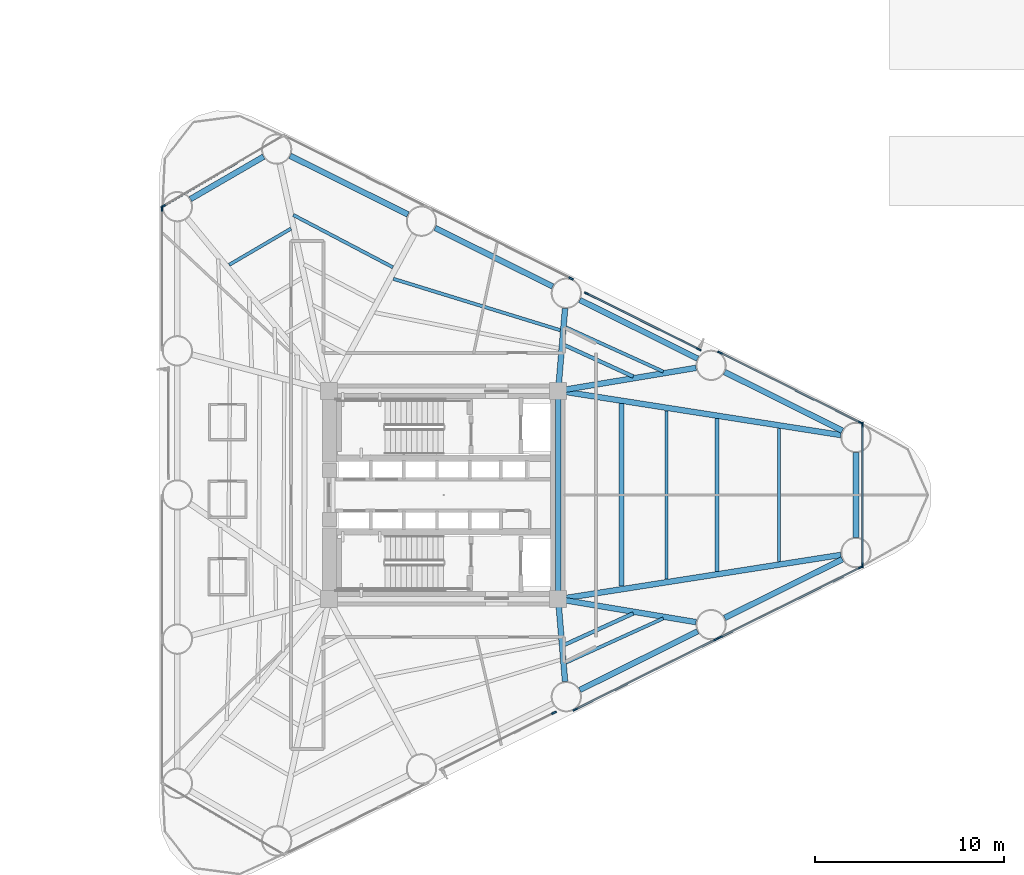
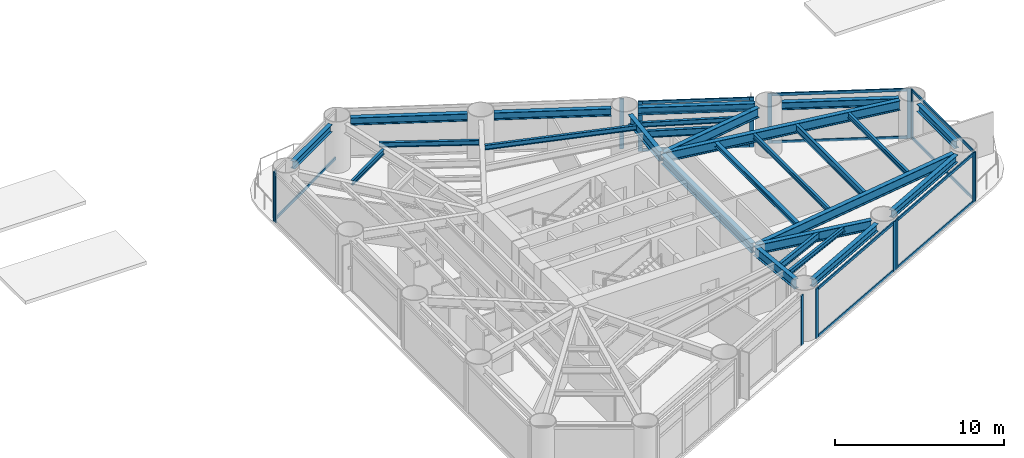
# One storey, part 3 of 10: 26 beams, 26 members, 9 elements without a shape of their own.
"""IFC4 building model written with IfcOpenShell, lengths in metres."""

from ifc_helpers import new_model, si_unit, direction, frame, origin, origin_2d, place, context, subcontext, project, spatial, rectangle, i_section, extrude, source, transform, mapped, material, layer, layer_set, material_profile, profile_set, type_object, element, aggregate, save


model = new_model("IFC4")

# Units and contexts
model_context = context("Model", 3, precision=1e-05, world=origin(), true_north=direction((0.0, 1.0)))
body_context = subcontext(model_context, "Body", "Model", "MODEL_VIEW")
ifc_project = project(units=[si_unit("LENGTHUNIT", "METRE"), si_unit("AREAUNIT", "SQUARE_METRE"), si_unit("VOLUMEUNIT", "CUBIC_METRE"), si_unit("PLANEANGLEUNIT", "RADIAN"), si_unit("MASSUNIT", "GRAM", prefix="KILO")], contexts=[model_context])

# Site, building, storey
site_placement = place(None, origin())
site = spatial("IfcSite", under=ifc_project, at=site_placement, CompositionType="ELEMENT")
building_placement = place(site_placement, origin())
building = spatial("IfcBuilding", under=site, at=building_placement, Name="Yunling Apex Tower", CompositionType="ELEMENT")
storey_placement = place(building_placement, frame((0.0, 0.0, 23.800048828125)))
storey = spatial("IfcBuildingStorey", under=building, at=storey_placement, Name="L07", CompositionType="ELEMENT", Elevation=23.800048828125)

# Beams
ifc_material_1 = material(Name="Steel Q355B", Category="steel")
ifc_material_profile_1 = material_profile(ifc_material_1, i_section(OverallWidth=0.300048828125, OverallDepth=0.699951171875, WebThickness=0.012939453125, FlangeThickness=0.02392578125, FilletRadius=0.02587890625, at=origin_2d()))
ifc_profile_set_1 = profile_set([ifc_material_profile_1], Name="Steel Q355B")
beam_type_1 = type_object("IfcBeamType", Name="BG-PRI-3", PredefinedType="USERDEFINED", material=ifc_profile_set_1)
shared_shape_1 = source(origin(), body_context, "Body", "SweptSolid", [
    extrude(i_section(OverallWidth=0.300048828125, OverallDepth=0.699951171875, WebThickness=0.012939453125, FlangeThickness=0.02392578125, FilletRadius=0.02587890625, at=origin_2d()), origin(), (0.0, 0.0, 1.0), 10.7001953125),
])
beam_1_placement = place(storey_placement, frame((6.050048828125, -5.35009765625, 3.1650390625), z_axis=(0.0, 1.0, 0.0), x_axis=(-1.0, 0.0, 0.0)))
element("IfcBeam", 1, at=beam_1_placement, inside=storey, type_object=beam_type_1, Name="L07 Core Ring Tie Beam 2", ObjectType="GIRDER", PredefinedType="USERDEFINED", context=body_context, shape_type="MappedRepresentation", body=[
    mapped(shared_shape_1, transform((0.0, 0.0, 0.0), scale=1.0)),
])
ifc_material_profile_2 = material_profile(ifc_material_1, i_section(OverallWidth=0.300048828125, OverallDepth=0.5400390625, WebThickness=0.011962890625, FlangeThickness=0.02001953125, FilletRadius=0.02392578125, at=origin_2d()))
ifc_profile_set_2 = profile_set([ifc_material_profile_2], Name="Steel Q355B")
beam_type_2 = type_object("IfcBeamType", Name="BP-SPN-1", PredefinedType="SPANDREL", material=ifc_profile_set_2)
shared_shape_2 = source(origin(), body_context, "Body", "SweptSolid", [
    extrude(i_section(OverallWidth=0.300048828125, OverallDepth=0.5400390625, WebThickness=0.011962890625, FlangeThickness=0.02001953125, FilletRadius=0.02392578125, at=origin_2d()), origin(), (0.0, 0.0, 1.0), 6.950927734375),
])
for number, where, z_axis, x_axis, name in (
    (2, (14.83251953125, -6.48974609375, 3.244873046875), (0.895247556401, 0.445569088646, 0.0), (-0.445569088646, 0.895247556401, 0.0), "L07 Perimeter Spandrel Beam 4"),
    (3, (21.055419921875, 3.392578125, 3.244873046875), (-0.895247556401, 0.445569088646, 0.0), (-0.445569088646, -0.895247556401, 0.0), "L07 Perimeter Spandrel Beam 6"),
    (4, (5.7666015625, 11.002197265625, 3.244873046875), (-0.895247556401, 0.445569088646, 0.0), (-0.445569088646, -0.895247556401, 0.0), "L07 Perimeter Spandrel Beam 8"),
    (5, (-1.8779296875, 14.806884765625, 3.244873046875), (-0.89524058306, 0.445583099368, 0.0), (-0.445583099368, -0.89524058306, 0.0), "L07 Perimeter Spandrel Beam 9"),
):
    element("IfcBeam", number, at=place(storey_placement, frame(where, z_axis=z_axis, x_axis=x_axis)), inside=storey, type_object=beam_type_2, Name=name, PredefinedType="SPANDREL", context=body_context, shape_type="MappedRepresentation", body=[
        mapped(shared_shape_2, transform((0.0, 0.0, 0.0), scale=1.0)),
    ])
shared_shape_3 = source(origin(), body_context, "Body", "SweptSolid", [
    extrude(i_section(OverallWidth=0.300048828125, OverallDepth=0.5400390625, WebThickness=0.011962890625, FlangeThickness=0.02001953125, FilletRadius=0.02392578125, at=origin_2d()), origin(), (0.0, 0.0, 1.0), 6.95068359375),
])
for number, where, z_axis, x_axis, name in (
    (6, (7.188232421875, -10.29443359375, 3.244873046875), (0.895254593944, 0.445554948375, 0.0), (-0.445554948375, 0.895254593944, 0.0), "L07 Perimeter Spandrel Beam 3"),
    (7, (13.410888671875, 7.197509765625, 3.244873046875), (-0.895254593944, 0.445554948375, 0.0), (-0.445554948375, -0.895254593944, 0.0), "L07 Perimeter Spandrel Beam 7"),
):
    element("IfcBeam", number, at=place(storey_placement, frame(where, z_axis=z_axis, x_axis=x_axis)), inside=storey, type_object=beam_type_2, Name=name, PredefinedType="SPANDREL", context=body_context, shape_type="MappedRepresentation", body=[
        mapped(shared_shape_3, transform((0.0, 0.0, 0.0), scale=1.0)),
    ])
shared_shape_4 = source(origin(), body_context, "Body", "SweptSolid", [
    extrude(i_section(OverallWidth=0.300048828125, OverallDepth=0.5400390625, WebThickness=0.011962890625, FlangeThickness=0.02001953125, FilletRadius=0.02392578125, at=origin_2d()), origin(), (0.0, 0.0, 1.0), 4.48974609375),
])
beam_2_placement = place(storey_placement, frame((21.76611328125, -2.244873046875, 3.244873046875), z_axis=(0.0, 1.0, 0.0), x_axis=(-1.0, 0.0, 0.0)))
element("IfcBeam", 8, at=beam_2_placement, inside=storey, type_object=beam_type_2, Name="L07 Perimeter Spandrel Beam 5", PredefinedType="SPANDREL", context=body_context, shape_type="MappedRepresentation", body=[
    mapped(shared_shape_4, transform((0.0, 0.0, 0.0), scale=1.0)),
])
shared_shape_5 = source(origin(), body_context, "Body", "SweptSolid", [
    extrude(i_section(OverallWidth=0.300048828125, OverallDepth=0.5400390625, WebThickness=0.011962890625, FlangeThickness=0.02001953125, FilletRadius=0.02392578125, at=origin_2d()), origin(), (0.0, 0.0, 1.0), 4.469970703125),
])
beam_3_placement = place(storey_placement, frame((-9.498291015625, 17.859619140625, 3.244873046875), z_axis=(-0.865055841155, -0.501675584102, 0.0), x_axis=(0.501675584102, -0.865055841155, 0.0)))
element("IfcBeam", 9, at=beam_3_placement, inside=storey, type_object=beam_type_2, Name="L07 Perimeter Spandrel Beam 10", PredefinedType="SPANDREL", context=body_context, shape_type="MappedRepresentation", body=[
    mapped(shared_shape_5, transform((0.0, 0.0, 0.0), scale=1.0)),
])
shared_shape_6 = source(origin(), body_context, "Body", "SweptSolid", [
    extrude(i_section(OverallWidth=0.300048828125, OverallDepth=0.699951171875, WebThickness=0.012939453125, FlangeThickness=0.02392578125, FilletRadius=0.02587890625, at=origin_2d()), origin(), (0.0, 0.0, 1.0), 4.278076171875),
])
for number, where, z_axis, x_axis, name in (
    (10, (6.41064453125, -9.843017578125, 3.1650390625), (-0.082747937789, 0.996570508691, 0.0), (-0.996570508691, -0.082747937789, 0.0), "L07 Radial Primary Girder R03"),
    (11, (6.41064453125, 9.843017578125, 3.1650390625), (-0.082747937789, -0.996570508691, 0.0), (0.996570508691, -0.082747937789, 0.0), "L07 Radial Primary Girder R08"),
):
    element("IfcBeam", number, at=place(storey_placement, frame(where, z_axis=z_axis, x_axis=x_axis)), inside=storey, type_object=beam_type_1, Name=name, ObjectType="GIRDER", PredefinedType="USERDEFINED", context=body_context, shape_type="MappedRepresentation", body=[
        mapped(shared_shape_6, transform((0.0, 0.0, 0.0), scale=1.0)),
    ])
shared_shape_7 = source(origin(), body_context, "Body", "SweptSolid", [
    extrude(i_section(OverallWidth=0.300048828125, OverallDepth=0.699951171875, WebThickness=0.012939453125, FlangeThickness=0.02392578125, FilletRadius=0.02587890625, at=origin_2d()), origin(), (0.0, 0.0, 1.0), 7.294921875),
])
for number, where, z_axis, x_axis, name in (
    (12, (13.32470703125, -6.7109375, 3.1650390625), (-0.98642827455, 0.164192750049, 0.0), (-0.164192750049, -0.98642827455, 0.0), "L07 Radial Primary Girder R04"),
    (13, (13.32470703125, 6.7109375, 3.1650390625), (-0.98642827455, -0.164192750049, 0.0), (0.164192750049, -0.98642827455, 0.0), "L07 Radial Primary Girder R07"),
):
    element("IfcBeam", number, at=place(storey_placement, frame(where, z_axis=z_axis, x_axis=x_axis)), inside=storey, type_object=beam_type_1, Name=name, ObjectType="GIRDER", PredefinedType="USERDEFINED", context=body_context, shape_type="MappedRepresentation", body=[
        mapped(shared_shape_7, transform((0.0, 0.0, 0.0), scale=1.0)),
    ])
shared_shape_8 = source(origin(), body_context, "Body", "SweptSolid", [
    extrude(i_section(OverallWidth=0.300048828125, OverallDepth=0.699951171875, WebThickness=0.012939453125, FlangeThickness=0.02392578125, FilletRadius=0.02587890625, at=origin_2d()), origin(), (0.0, 0.0, 1.0), 15.02001953125),
])
for number, where, z_axis, x_axis, name in (
    (14, (20.968017578125, -3.163818359375, 3.1650390625), (-0.987959991473, -0.154709583568, 0.0), (0.154709583568, -0.987959991473, 0.0), "L07 Radial Primary Girder R05"),
    (15, (20.968017578125, 3.163818359375, 3.1650390625), (-0.987959991473, 0.154709583568, 0.0), (-0.154709583568, -0.987959991473, 0.0), "L07 Radial Primary Girder R06"),
):
    element("IfcBeam", number, at=place(storey_placement, frame(where, z_axis=z_axis, x_axis=x_axis)), inside=storey, type_object=beam_type_1, Name=name, ObjectType="GIRDER", PredefinedType="USERDEFINED", context=body_context, shape_type="MappedRepresentation", body=[
        mapped(shared_shape_8, transform((0.0, 0.0, 0.0), scale=1.0)),
    ])
ifc_material_profile_3 = material_profile(ifc_material_1, i_section(OverallWidth=0.175048828125, OverallDepth=0.35009765625, WebThickness=0.007080078125, FlangeThickness=0.010986328125, FilletRadius=0.013916015625, at=origin_2d()))
ifc_profile_set_3 = profile_set([ifc_material_profile_3], Name="Steel Q355B")
beam_type_3 = type_object("IfcBeamType", Name="BJ-JST-1", PredefinedType="JOIST", material=ifc_profile_set_3)
shared_shape_9 = source(origin(), body_context, "Body", "SweptSolid", [
    extrude(i_section(OverallWidth=0.175048828125, OverallDepth=0.35009765625, WebThickness=0.007080078125, FlangeThickness=0.010986328125, FilletRadius=0.013916015625, at=origin_2d()), origin(), (0.0, 0.0, 1.0), 5.935791015625),
])
beam_4_placement = place(storey_placement, frame((-2.676513671875, 12.02001953125, 3.33984375), z_axis=(-0.885494794786, 0.464649296144, 0.0), x_axis=(-0.464649296144, -0.885494794786, 0.0)))
element("IfcBeam", 16, at=beam_4_placement, inside=storey, type_object=beam_type_3, Name="L07 Composite Floor Joist BJ1-9", PredefinedType="JOIST", context=body_context, shape_type="MappedRepresentation", body=[
    mapped(shared_shape_9, transform((0.0, 0.0, 0.0), scale=1.0)),
])
shared_shape_10 = source(origin(), body_context, "Body", "SweptSolid", [
    extrude(i_section(OverallWidth=0.175048828125, OverallDepth=0.35009765625, WebThickness=0.007080078125, FlangeThickness=0.010986328125, FilletRadius=0.013916015625, at=origin_2d()), origin(), (0.0, 0.0, 1.0), 9.2158203125),
])
beam_5_placement = place(storey_placement, frame((6.15869140625, 8.6962890625, 3.33984375), z_axis=(-0.955731454849, 0.294240354492, 0.0), x_axis=(-0.294240354492, -0.955731454849, 0.0)))
element("IfcBeam", 17, at=beam_5_placement, inside=storey, type_object=beam_type_3, Name="L07 Composite Floor Joist BJ1-8", PredefinedType="JOIST", context=body_context, shape_type="MappedRepresentation", body=[
    mapped(shared_shape_10, transform((0.0, 0.0, 0.0), scale=1.0)),
])
ifc_material_profile_4 = material_profile(ifc_material_1, i_section(OverallWidth=0.199951171875, OverallDepth=0.5, WebThickness=0.010009765625, FlangeThickness=0.01611328125, FilletRadius=0.02001953125, at=origin_2d()))
ifc_profile_set_4 = profile_set([ifc_material_profile_4], Name="Steel Q355B")
beam_type_4 = type_object("IfcBeamType", Name="BS-SEC-2", PredefinedType="BEAM", material=ifc_profile_set_4)
shared_shape_11 = source(origin(), body_context, "Body", "SweptSolid", [
    extrude(i_section(OverallWidth=0.199951171875, OverallDepth=0.5, WebThickness=0.010009765625, FlangeThickness=0.01611328125, FilletRadius=0.02001953125, at=origin_2d()), origin(), (0.0, 0.0, 1.0), 3.971923828125),
])
for number, where, z_axis, x_axis, name in (
    (18, (6.400390625, -7.900634765625, 3.264892578125), (0.909609234888, 0.415464847858, 0.0), (-0.415464847858, 0.909609234888, 0.0), "L07 Composite Floor Beam BS-3"),
    (19, (10.01318359375, 6.25048828125, 3.264892578125), (-0.909609234888, 0.415464847858, 0.0), (-0.415464847858, -0.909609234888, 0.0), "L07 Composite Floor Beam BS-7"),
):
    element("IfcBeam", number, at=place(storey_placement, frame(where, z_axis=z_axis, x_axis=x_axis)), inside=storey, type_object=beam_type_4, Name=name, PredefinedType="BEAM", context=body_context, shape_type="MappedRepresentation", body=[
        mapped(shared_shape_11, transform((0.0, 0.0, 0.0), scale=1.0)),
    ])
shared_shape_12 = source(origin(), body_context, "Body", "SweptSolid", [
    extrude(i_section(OverallWidth=0.175048828125, OverallDepth=0.35009765625, WebThickness=0.007080078125, FlangeThickness=0.010986328125, FilletRadius=0.013916015625, at=origin_2d()), origin(), (0.0, 0.0, 1.0), 5.62109375),
])
for number, where, z_axis, x_axis, name in (
    (20, (6.478515625, -8.839111328125, 3.33984375), (0.910411095702, 0.413704770124, 0.0), (-0.413704770124, 0.910411095702, 0.0), "L07 Composite Floor Joist BJ1-3"),
    (21, (11.595947265625, 6.513671875, 3.33984375), (-0.910411095702, 0.413704770124, 0.0), (-0.413704770124, -0.910411095702, 0.0), "L07 Composite Floor Joist BJ1-7"),
):
    element("IfcBeam", number, at=place(storey_placement, frame(where, z_axis=z_axis, x_axis=x_axis)), inside=storey, type_object=beam_type_3, Name=name, PredefinedType="JOIST", context=body_context, shape_type="MappedRepresentation", body=[
        mapped(shared_shape_12, transform((0.0, 0.0, 0.0), scale=1.0)),
    ])
shared_shape_13 = source(origin(), body_context, "Body", "SweptSolid", [
    extrude(i_section(OverallWidth=0.199951171875, OverallDepth=0.5, WebThickness=0.010009765625, FlangeThickness=0.01611328125, FilletRadius=0.02001953125, at=origin_2d()), origin(), (0.0, 0.0, 1.0), 8.052734375),
])
beam_6_placement = place(storey_placement, frame((14.438720703125, -4.0263671875, 3.264892578125), z_axis=(0.0, 1.0, 0.0), x_axis=(-1.0, 0.0, 0.0)))
element("IfcBeam", 22, at=beam_6_placement, inside=storey, type_object=beam_type_4, Name="L07 Composite Floor Beam BS-5", PredefinedType="BEAM", context=body_context, shape_type="MappedRepresentation", body=[
    mapped(shared_shape_13, transform((0.0, 0.0, 0.0), scale=1.0)),
])
shared_shape_14 = source(origin(), body_context, "Body", "SweptSolid", [
    extrude(i_section(OverallWidth=0.175048828125, OverallDepth=0.35009765625, WebThickness=0.007080078125, FlangeThickness=0.010986328125, FilletRadius=0.013916015625, at=origin_2d()), origin(), (0.0, 0.0, 1.0), 7.02978515625),
])
beam_7_placement = place(storey_placement, frame((17.703369140625, -3.514892578125, 3.33984375), z_axis=(0.0, 1.0, 0.0), x_axis=(-1.0, 0.0, 0.0)))
element("IfcBeam", 23, at=beam_7_placement, inside=storey, type_object=beam_type_3, Name="L07 Composite Floor Joist BJ1-5", PredefinedType="JOIST", context=body_context, shape_type="MappedRepresentation", body=[
    mapped(shared_shape_14, transform((0.0, 0.0, 0.0), scale=1.0)),
])
shared_shape_15 = source(origin(), body_context, "Body", "SweptSolid", [
    extrude(i_section(OverallWidth=0.175048828125, OverallDepth=0.35009765625, WebThickness=0.007080078125, FlangeThickness=0.010986328125, FilletRadius=0.013916015625, at=origin_2d()), origin(), (0.0, 0.0, 1.0), 8.88916015625),
])
beam_8_placement = place(storey_placement, frame((11.767822265625, -4.444580078125, 3.33984375), z_axis=(0.0, 1.0, 0.0), x_axis=(-1.0, 0.0, 0.0)))
element("IfcBeam", 24, at=beam_8_placement, inside=storey, type_object=beam_type_3, Name="L07 Composite Floor Joist BJ3-5", PredefinedType="JOIST", context=body_context, shape_type="MappedRepresentation", body=[
    mapped(shared_shape_15, transform((0.0, 0.0, 0.0), scale=1.0)),
])
ifc_material_profile_5 = material_profile(ifc_material_1, i_section(OverallWidth=0.25, OverallDepth=0.340087890625, WebThickness=0.009033203125, FlangeThickness=0.013916015625, FilletRadius=0.01806640625, at=origin_2d()))
ifc_profile_set_5 = profile_set([ifc_material_profile_5], Name="Steel Q355B")
beam_type_5 = type_object("IfcBeamType", Name="BJ-JST-2", PredefinedType="JOIST", material=ifc_profile_set_5)
shared_shape_16 = source(origin(), body_context, "Body", "SweptSolid", [
    extrude(i_section(OverallWidth=0.25, OverallDepth=0.340087890625, WebThickness=0.009033203125, FlangeThickness=0.013916015625, FilletRadius=0.01806640625, at=origin_2d()), origin(), (0.0, 0.0, 1.0), 9.6328125),
])
beam_9_placement = place(storey_placement, frame((9.3935546875, -4.81640625, 3.344970703125), z_axis=(0.0, 1.0, 0.0), x_axis=(-1.0, 0.0, 0.0)))
element("IfcBeam", 25, at=beam_9_placement, inside=storey, type_object=beam_type_5, Name="L07 Composite Floor Joist BJ2-5", PredefinedType="JOIST", context=body_context, shape_type="MappedRepresentation", body=[
    mapped(shared_shape_16, transform((0.0, 0.0, 0.0), scale=1.0)),
])
shared_shape_17 = source(origin(), body_context, "Body", "SweptSolid", [
    extrude(i_section(OverallWidth=0.175048828125, OverallDepth=0.35009765625, WebThickness=0.007080078125, FlangeThickness=0.010986328125, FilletRadius=0.013916015625, at=origin_2d()), origin(), (0.0, 0.0, 1.0), 3.77880859375),
])
beam_10_placement = place(storey_placement, frame((-8.05810546875, 14.05810546875, 3.33984375), z_axis=(-0.862642562353, -0.50581400694, 0.0), x_axis=(0.50581400694, -0.862642562353, 0.0)))
element("IfcBeam", 26, at=beam_10_placement, inside=storey, type_object=beam_type_3, Name="L07 Composite Floor Joist BJ1-10", PredefinedType="JOIST", context=body_context, shape_type="MappedRepresentation", body=[
    mapped(shared_shape_17, transform((0.0, 0.0, 0.0), scale=1.0)),
])

# Curtain wall, member
ifc_material_2 = material(Name="Bronze anodised aluminium", Category="aluminium")
ifc_layer = layer(ifc_material_2, 0.260009765625)
ifc_layer_set = layer_set([ifc_layer], Name="Bronze anodised aluminium")
curtain_wall_type = type_object("IfcCurtainWallType", Name="CW-SYS-2", PredefinedType="NOTDEFINED", material=ifc_layer_set)
curtain_wall_1_placement = place(storey_placement, origin())
curtain_wall_1 = element("IfcCurtainWall", 27, at=curtain_wall_1_placement, inside=storey, type_object=curtain_wall_type, Name="CW-L07-F1-B2", PredefinedType="NOTDEFINED")
ifc_material_profile_6 = material_profile(ifc_material_2, rectangle(XDim=0.0849609375, YDim=0.260009765625, at=origin_2d()))
ifc_profile_set_6 = profile_set([ifc_material_profile_6], Name="Bronze anodised aluminium")
member_type_1 = type_object("IfcMemberType", Name="CW-MUL-2", PredefinedType="MULLION", material=ifc_profile_set_6)
shared_shape_18 = source(origin(), body_context, "Body", "SweptSolid", [
    extrude(rectangle(XDim=0.0849609375, YDim=0.260009765625, at=origin_2d()), origin(), (0.0, 0.0, 1.0), 3.614990234375),
])
member_1_placement = place(storey_placement, frame((5.8251953125, -11.498046875, -0.050048828125), z_axis=(0.0, 0.0, 1.0), x_axis=(-0.445582781121, 0.895240741459, 0.0)))
member_1 = element("IfcMember", 28, at=member_1_placement, type_object=member_type_1, Name="CW-SYS-2 mullion 2", PredefinedType="MULLION", context=body_context, shape_type="MappedRepresentation", body=[
    mapped(shared_shape_18, transform((0.0, 0.0, 0.0), scale=1.0)),
])
aggregate(curtain_wall_1, [member_1])

# Curtain wall, members
curtain_wall_2_placement = place(storey_placement, origin())
curtain_wall_2 = element("IfcCurtainWall", 29, at=curtain_wall_2_placement, inside=storey, type_object=curtain_wall_type, Name="CW-L07-F1-B3", PredefinedType="NOTDEFINED")
member_2_placement = place(storey_placement, frame((6.947998046875, -11.31884765625, -0.050048828125), z_axis=(0.0, 0.0, 1.0), x_axis=(-0.445570625003, 0.895246791748, 0.0)))
member_2 = element("IfcMember", 30, at=member_2_placement, type_object=member_type_1, Name="CW-SYS-2 mullion 1", PredefinedType="MULLION", context=body_context, shape_type="MappedRepresentation", body=[
    mapped(shared_shape_18, transform((0.0, 0.0, 0.0), scale=1.0)),
])
member_3_placement = place(storey_placement, frame((14.373046875, -7.623291015625, -0.050048828125), z_axis=(0.0, 0.0, 1.0), x_axis=(-0.445570625003, 0.895246791748, 0.0)))
member_3 = element("IfcMember", 31, at=member_3_placement, type_object=member_type_1, Name="CW-SYS-2 mullion 2", PredefinedType="MULLION", context=body_context, shape_type="MappedRepresentation", body=[
    mapped(shared_shape_18, transform((0.0, 0.0, 0.0), scale=1.0)),
])

curtain_wall_3_placement = place(storey_placement, origin())
curtain_wall_3 = element("IfcCurtainWall", 32, at=curtain_wall_3_placement, inside=storey, type_object=curtain_wall_type, Name="CW-L07-F1-B4", PredefinedType="NOTDEFINED")
member_4_placement = place(storey_placement, frame((14.59228515625, -7.51416015625, -0.050048828125), z_axis=(0.0, 0.0, 1.0), x_axis=(-0.445580190214, 0.895242031011, 0.0)))
member_4 = element("IfcMember", 33, at=member_4_placement, type_object=member_type_1, Name="CW-SYS-2 mullion 1", PredefinedType="MULLION", context=body_context, shape_type="MappedRepresentation", body=[
    mapped(shared_shape_18, transform((0.0, 0.0, 0.0), scale=1.0)),
])
member_5_placement = place(storey_placement, frame((22.017333984375, -3.818603515625, -0.050048828125), z_axis=(0.0, 0.0, 1.0), x_axis=(-0.445580190214, 0.895242031011, 0.0)))
member_5 = element("IfcMember", 34, at=member_5_placement, type_object=member_type_1, Name="CW-SYS-2 mullion 2", PredefinedType="MULLION", context=body_context, shape_type="MappedRepresentation", body=[
    mapped(shared_shape_18, transform((0.0, 0.0, 0.0), scale=1.0)),
])

curtain_wall_4_placement = place(storey_placement, origin())
curtain_wall_4 = element("IfcCurtainWall", 35, at=curtain_wall_4_placement, inside=storey, type_object=curtain_wall_type, Name="CW-L07-CRN1", PredefinedType="NOTDEFINED")
member_6_placement = place(storey_placement, frame((22.1181640625, -3.70361328125, -0.050048828125), z_axis=(0.0, 0.0, 1.0), x_axis=(-1.0, 0.0, 0.0)))
member_6 = element("IfcMember", 36, at=member_6_placement, type_object=member_type_1, Name="CW-SYS-2 mullion 1", PredefinedType="MULLION", context=body_context, shape_type="MappedRepresentation", body=[
    mapped(shared_shape_18, transform((0.0, 0.0, 0.0), scale=1.0)),
])
member_7_placement = place(storey_placement, frame((22.1181640625, 3.70361328125, -0.050048828125), z_axis=(0.0, 0.0, 1.0), x_axis=(-1.0, 0.0, 0.0)))
member_7 = element("IfcMember", 37, at=member_7_placement, type_object=member_type_1, Name="CW-SYS-2 mullion 2", PredefinedType="MULLION", context=body_context, shape_type="MappedRepresentation", body=[
    mapped(shared_shape_18, transform((0.0, 0.0, 0.0), scale=1.0)),
])

curtain_wall_5_placement = place(storey_placement, origin())
curtain_wall_5 = element("IfcCurtainWall", 38, at=curtain_wall_5_placement, inside=storey, type_object=curtain_wall_type, Name="CW-L07-F2-B1", PredefinedType="NOTDEFINED")
member_8_placement = place(storey_placement, frame((22.017333984375, 3.818603515625, -0.050048828125), z_axis=(0.0, 0.0, 1.0), x_axis=(-0.445580190214, -0.895242031011, 0.0)))
member_8 = element("IfcMember", 39, at=member_8_placement, type_object=member_type_1, Name="CW-SYS-2 mullion 1", PredefinedType="MULLION", context=body_context, shape_type="MappedRepresentation", body=[
    mapped(shared_shape_18, transform((0.0, 0.0, 0.0), scale=1.0)),
])
member_9_placement = place(storey_placement, frame((14.59228515625, 7.51416015625, -0.050048828125), z_axis=(0.0, 0.0, 1.0), x_axis=(-0.445580190214, -0.895242031011, 0.0)))
member_9 = element("IfcMember", 40, at=member_9_placement, type_object=member_type_1, Name="CW-SYS-2 mullion 2", PredefinedType="MULLION", context=body_context, shape_type="MappedRepresentation", body=[
    mapped(shared_shape_18, transform((0.0, 0.0, 0.0), scale=1.0)),
])

curtain_wall_6_placement = place(storey_placement, origin())
curtain_wall_6 = element("IfcCurtainWall", 41, at=curtain_wall_6_placement, inside=storey, type_object=curtain_wall_type, Name="CW-L07-F2-B2", PredefinedType="NOTDEFINED")
member_10_placement = place(storey_placement, frame((13.469482421875, 7.693115234375, -0.050048828125), z_axis=(0.0, 0.0, 1.0), x_axis=(-0.445576771947, -0.895243732344, 0.0)))
member_10 = element("IfcMember", 42, at=member_10_placement, type_object=member_type_1, Name="CW-SYS-2 mullion 1", PredefinedType="MULLION", context=body_context, shape_type="MappedRepresentation", body=[
    mapped(shared_shape_18, transform((0.0, 0.0, 0.0), scale=1.0)),
])
member_11_placement = place(storey_placement, frame((7.54833984375, 10.640380859375, -0.050048828125), z_axis=(0.0, 0.0, 1.0), x_axis=(-0.445576771947, -0.895243732344, 0.0)))
member_11 = element("IfcMember", 43, at=member_11_placement, type_object=member_type_1, Name="CW-SYS-2 mullion 2", PredefinedType="MULLION", context=body_context, shape_type="MappedRepresentation", body=[
    mapped(shared_shape_18, transform((0.0, 0.0, 0.0), scale=1.0)),
])

# Curtain wall, member
curtain_wall_7_placement = place(storey_placement, origin())
curtain_wall_7 = element("IfcCurtainWall", 44, at=curtain_wall_7_placement, inside=storey, type_object=curtain_wall_type, Name="CW-L07-F2-B3", PredefinedType="NOTDEFINED")
member_12_placement = place(storey_placement, frame((6.728515625, 11.427978515625, -0.050048828125), z_axis=(0.0, 0.0, 1.0), x_axis=(-0.445580190214, -0.895242031011, 0.0)))
member_12 = element("IfcMember", 45, at=member_12_placement, type_object=member_type_1, Name="CW-SYS-2 mullion 1", PredefinedType="MULLION", context=body_context, shape_type="MappedRepresentation", body=[
    mapped(shared_shape_18, transform((0.0, 0.0, 0.0), scale=1.0)),
])
aggregate(curtain_wall_7, [member_12])

curtain_wall_8_placement = place(storey_placement, origin())
curtain_wall_8 = element("IfcCurtainWall", 46, at=curtain_wall_8_placement, inside=storey, type_object=curtain_wall_type, Name="CW-L07-CRN2", PredefinedType="NOTDEFINED")
member_13_placement = place(storey_placement, frame((-14.805419921875, 15.240478515625, -0.050048828125), z_axis=(0.0, 0.0, 1.0), x_axis=(0.506195543811, -0.86241873323, 0.0)))
member_13 = element("IfcMember", 47, at=member_13_placement, type_object=member_type_1, Name="CW-SYS-2 mullion 2", PredefinedType="MULLION", context=body_context, shape_type="MappedRepresentation", body=[
    mapped(shared_shape_18, transform((0.0, 0.0, 0.0), scale=1.0)),
])

curtain_wall_9_placement = place(storey_placement, origin())
curtain_wall_9 = element("IfcCurtainWall", 48, at=curtain_wall_9_placement, inside=storey, type_object=curtain_wall_type, Name="CW-L07-F3-B1", PredefinedType="NOTDEFINED")
member_14_placement = place(storey_placement, frame((-14.862060546875, 15.096435546875, -0.050048828125), z_axis=(0.0, 0.0, 1.0), x_axis=(1.0, 0.0, 0.0)))
member_14 = element("IfcMember", 49, at=member_14_placement, type_object=member_type_1, Name="CW-SYS-2 mullion 1", PredefinedType="MULLION", context=body_context, shape_type="MappedRepresentation", body=[
    mapped(shared_shape_18, transform((0.0, 0.0, 0.0), scale=1.0)),
])
aggregate(curtain_wall_9, [member_14])

# Member
ifc_material_profile_7 = material_profile(ifc_material_2, rectangle(XDim=0.0849609375, YDim=0.199951171875, at=origin_2d()))
ifc_profile_set_7 = profile_set([ifc_material_profile_7], Name="Bronze anodised aluminium")
member_type_2 = type_object("IfcMemberType", Name="CW-TRN-2", PredefinedType="USERDEFINED", material=ifc_profile_set_7)
shared_shape_19 = source(origin(), body_context, "Body", "SweptSolid", [
    extrude(rectangle(XDim=0.0849609375, YDim=0.199951171875, at=origin_2d()), origin(), (0.0, 0.0, 1.0), 8.217529296875),
])
member_15_placement = place(storey_placement, frame((6.982177734375, -11.3017578125, 0.04248046875), z_axis=(0.895251603772, 0.445560956485, 0.0), x_axis=(-0.445560956485, 0.895251603772, 0.0)))
member_15 = element("IfcMember", 50, at=member_15_placement, type_object=member_type_2, Name="CW-SYS-2 transom 1.1", ObjectType="TRANSOM", PredefinedType="USERDEFINED", context=body_context, shape_type="MappedRepresentation", body=[
    mapped(shared_shape_19, transform((0.0, 0.0, 0.0), scale=1.0)),
])

member_16_placement = place(storey_placement, frame((6.982177734375, -11.3017578125, 3.472412109375), z_axis=(0.895251603772, 0.445560956485, 0.0), x_axis=(-0.445560956485, 0.895251603772, 0.0)))
member_16 = element("IfcMember", 51, at=member_16_placement, type_object=member_type_2, Name="CW-SYS-2 transom 1.2", ObjectType="TRANSOM", PredefinedType="USERDEFINED", context=body_context, shape_type="MappedRepresentation", body=[
    mapped(shared_shape_19, transform((0.0, 0.0, 0.0), scale=1.0)),
])

aggregate(curtain_wall_2, [member_2, member_3, member_15, member_16])

shared_shape_20 = source(origin(), body_context, "Body", "SweptSolid", [
    extrude(rectangle(XDim=0.0849609375, YDim=0.199951171875, at=origin_2d()), origin(), (0.0, 0.0, 1.0), 8.21728515625),
])
member_17_placement = place(storey_placement, frame((14.626708984375, -7.4970703125, 0.04248046875), z_axis=(0.895245705371, 0.445572807761, 0.0), x_axis=(-0.445572807761, 0.895245705371, 0.0)))
member_17 = element("IfcMember", 52, at=member_17_placement, type_object=member_type_2, Name="CW-SYS-2 transom 1.1", ObjectType="TRANSOM", PredefinedType="USERDEFINED", context=body_context, shape_type="MappedRepresentation", body=[
    mapped(shared_shape_20, transform((0.0, 0.0, 0.0), scale=1.0)),
])

member_18_placement = place(storey_placement, frame((14.626708984375, -7.4970703125, 3.472412109375), z_axis=(0.895245705371, 0.445572807761, 0.0), x_axis=(-0.445572807761, 0.895245705371, 0.0)))
member_18 = element("IfcMember", 53, at=member_18_placement, type_object=member_type_2, Name="CW-SYS-2 transom 1.2", ObjectType="TRANSOM", PredefinedType="USERDEFINED", context=body_context, shape_type="MappedRepresentation", body=[
    mapped(shared_shape_20, transform((0.0, 0.0, 0.0), scale=1.0)),
])

aggregate(curtain_wall_3, [member_4, member_5, member_17, member_18])

member_19_placement = place(storey_placement, frame((21.983154296875, 3.835693359375, 0.04248046875), z_axis=(-0.895245705371, 0.445572807761, 0.0), x_axis=(-0.445572807761, -0.895245705371, 0.0)))
member_19 = element("IfcMember", 54, at=member_19_placement, type_object=member_type_2, Name="CW-SYS-2 transom 1.1", ObjectType="TRANSOM", PredefinedType="USERDEFINED", context=body_context, shape_type="MappedRepresentation", body=[
    mapped(shared_shape_20, transform((0.0, 0.0, 0.0), scale=1.0)),
])

member_20_placement = place(storey_placement, frame((21.983154296875, 3.835693359375, 3.472412109375), z_axis=(-0.895245705371, 0.445572807761, 0.0), x_axis=(-0.445572807761, -0.895245705371, 0.0)))
member_20 = element("IfcMember", 55, at=member_20_placement, type_object=member_type_2, Name="CW-SYS-2 transom 1.2", ObjectType="TRANSOM", PredefinedType="USERDEFINED", context=body_context, shape_type="MappedRepresentation", body=[
    mapped(shared_shape_20, transform((0.0, 0.0, 0.0), scale=1.0)),
])

aggregate(curtain_wall_5, [member_8, member_9, member_19, member_20])

shared_shape_21 = source(origin(), body_context, "Body", "SweptSolid", [
    extrude(rectangle(XDim=0.0849609375, YDim=0.199951171875, at=origin_2d()), origin(), (0.0, 0.0, 1.0), 7.33056640625),
])
member_21_placement = place(storey_placement, frame((22.1181640625, -3.665283203125, 0.04248046875), z_axis=(0.0, 1.0, 0.0), x_axis=(-1.0, 0.0, 0.0)))
member_21 = element("IfcMember", 56, at=member_21_placement, type_object=member_type_2, Name="CW-SYS-2 transom 1.1", ObjectType="TRANSOM", PredefinedType="USERDEFINED", context=body_context, shape_type="MappedRepresentation", body=[
    mapped(shared_shape_21, transform((0.0, 0.0, 0.0), scale=1.0)),
])

member_22_placement = place(storey_placement, frame((22.1181640625, -3.665283203125, 3.472412109375), z_axis=(0.0, 1.0, 0.0), x_axis=(-1.0, 0.0, 0.0)))
member_22 = element("IfcMember", 57, at=member_22_placement, type_object=member_type_2, Name="CW-SYS-2 transom 1.2", ObjectType="TRANSOM", PredefinedType="USERDEFINED", context=body_context, shape_type="MappedRepresentation", body=[
    mapped(shared_shape_21, transform((0.0, 0.0, 0.0), scale=1.0)),
])

aggregate(curtain_wall_4, [member_6, member_7, member_21, member_22])

shared_shape_22 = source(origin(), body_context, "Body", "SweptSolid", [
    extrude(rectangle(XDim=0.0849609375, YDim=0.199951171875, at=origin_2d()), origin(), (0.0, 0.0, 1.0), 7.239501953125),
])
member_23_placement = place(storey_placement, frame((-8.529052734375, 18.92431640625, 0.04248046875), z_axis=(-0.862419304353, -0.506194570772, 0.0), x_axis=(0.506194570772, -0.862419304353, 0.0)))
member_23 = element("IfcMember", 58, at=member_23_placement, type_object=member_type_2, Name="CW-SYS-2 transom 1.1", ObjectType="TRANSOM", PredefinedType="USERDEFINED", context=body_context, shape_type="MappedRepresentation", body=[
    mapped(shared_shape_22, transform((0.0, 0.0, 0.0), scale=1.0)),
])

aggregate(curtain_wall_8, [member_13, member_23])

shared_shape_23 = source(origin(), body_context, "Body", "SweptSolid", [
    extrude(rectangle(XDim=0.0849609375, YDim=0.199951171875, at=origin_2d()), origin(), (0.0, 0.0, 1.0), 6.537353515625),
])
member_24_placement = place(storey_placement, frame((13.435302734375, 7.710205078125, 0.04248046875), z_axis=(-0.895232386263, 0.445599567533, 0.0), x_axis=(-0.445599567533, -0.895232386263, 0.0)))
member_24 = element("IfcMember", 59, at=member_24_placement, type_object=member_type_2, Name="CW-SYS-2 transom 1.1", ObjectType="TRANSOM", PredefinedType="USERDEFINED", context=body_context, shape_type="MappedRepresentation", body=[
    mapped(shared_shape_23, transform((0.0, 0.0, 0.0), scale=1.0)),
])

member_25_placement = place(storey_placement, frame((13.435302734375, 7.710205078125, 2.67138671875), z_axis=(-0.895232386263, 0.445599567533, 0.0), x_axis=(-0.445599567533, -0.895232386263, 0.0)))
member_25 = element("IfcMember", 60, at=member_25_placement, type_object=member_type_2, Name="CW-SYS-2 transom 1.2", ObjectType="TRANSOM", PredefinedType="USERDEFINED", context=body_context, shape_type="MappedRepresentation", body=[
    mapped(shared_shape_23, transform((0.0, 0.0, 0.0), scale=1.0)),
])

member_26_placement = place(storey_placement, frame((13.435302734375, 7.710205078125, 3.472412109375), z_axis=(-0.895232386263, 0.445599567533, 0.0), x_axis=(-0.445599567533, -0.895232386263, 0.0)))
member_26 = element("IfcMember", 61, at=member_26_placement, type_object=member_type_2, Name="CW-SYS-2 transom 1.3", ObjectType="TRANSOM", PredefinedType="USERDEFINED", context=body_context, shape_type="MappedRepresentation", body=[
    mapped(shared_shape_23, transform((0.0, 0.0, 0.0), scale=1.0)),
])

aggregate(curtain_wall_6, [member_10, member_11, member_24, member_25, member_26])

save(model, "model.ifc")
